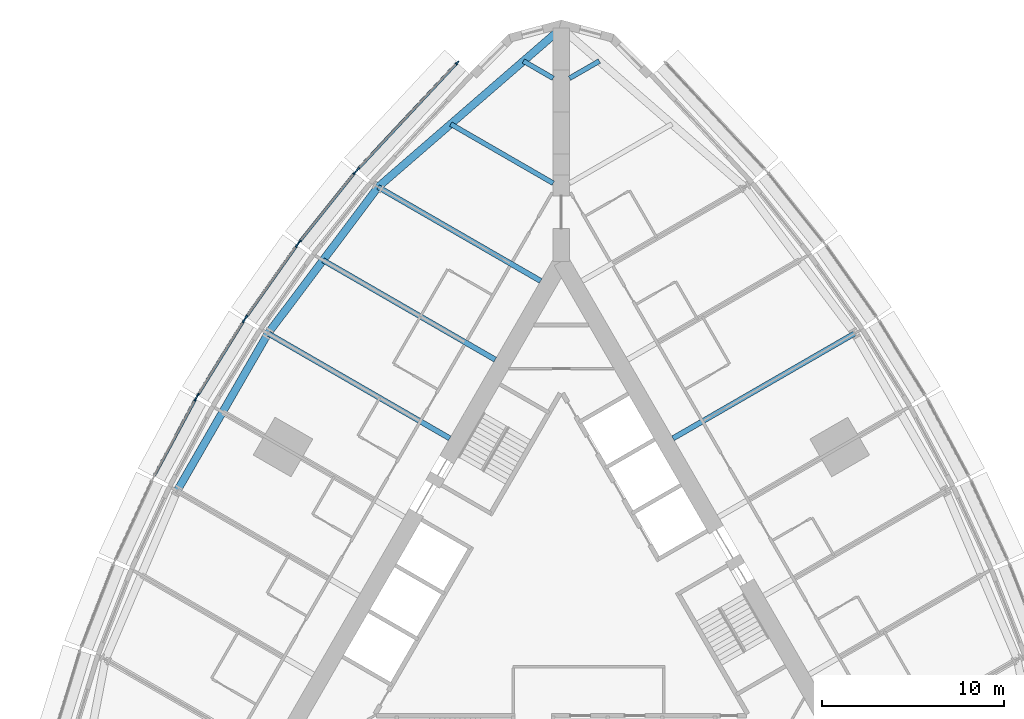
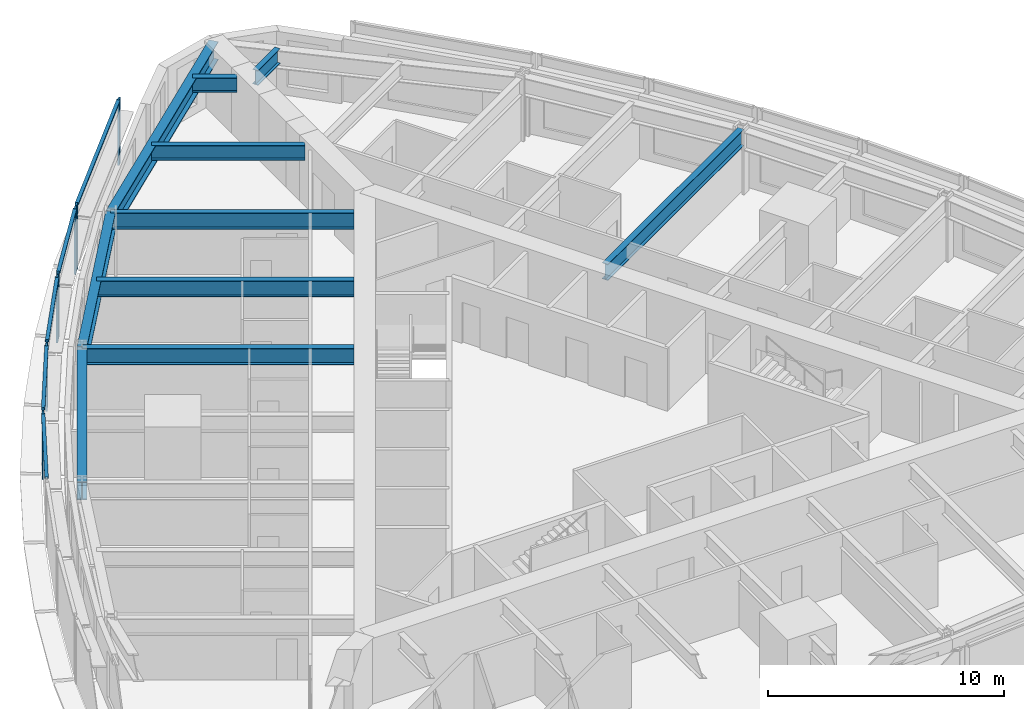
# One storey, part 4 of 14: 14 members, 10 beams, 5 elements without a shape of their own.
"""IFC4 building model written with IfcOpenShell, lengths in metres."""

from ifc_helpers import new_model, si_unit, direction, frame, origin, origin_2d, place, context, subcontext, project, spatial, rectangle, i_section, extrude, material, material_profile, profile_set, type_object, element, aggregate, save


model = new_model("IFC4")

# Units and contexts
model_context = context("Model", 3, precision=1e-05, world=origin(), true_north=direction((0.0, 1.0)))
body_context = subcontext(model_context, "Body", "Model", "MODEL_VIEW")
ifc_project = project(units=[si_unit("LENGTHUNIT", "METRE"), si_unit("AREAUNIT", "SQUARE_METRE"), si_unit("VOLUMEUNIT", "CUBIC_METRE"), si_unit("PLANEANGLEUNIT", "RADIAN"), si_unit("MASSUNIT", "GRAM", prefix="KILO")], contexts=[model_context])

# Site, building, storey
site_placement = place(None, origin())
site = spatial("IfcSite", under=ifc_project, at=site_placement, CompositionType="ELEMENT")
building_placement = place(site_placement, origin())
building = spatial("IfcBuilding", under=site, at=building_placement, Name="Trikona Tower", CompositionType="ELEMENT")
storey_placement = place(building_placement, frame((0.0, 0.0, 55.699951171875)))
storey = spatial("IfcBuildingStorey", under=building, at=storey_placement, Name="L13", CompositionType="ELEMENT", Elevation=55.699951171875)

# Curtain wall, members
ifc_material_1 = material(Name="Aluminium curtain wall system", Category="aluminium")
curtain_wall_type = type_object("IfcCurtainWallType", Name="Curtain wall DS1", PredefinedType="NOTDEFINED", material=ifc_material_1)
curtain_wall_1_placement = place(storey_placement, origin())
curtain_wall_1 = element("IfcCurtainWall", 1, at=curtain_wall_1_placement, inside=storey, type_object=curtain_wall_type, Name="Curtain wall DS1 L13", PredefinedType="NOTDEFINED")
ifc_material_2 = material(Name="Aluminium mullion, pale anodised", Category="aluminium")
ifc_material_profile_1 = material_profile(ifc_material_2, rectangle(XDim=0.080078125, YDim=0.219970703125, at=origin_2d()), Name="MUL-DS1")
ifc_profile_set_1 = profile_set([ifc_material_profile_1], Name="Aluminium mullion, pale anodised")
member_type_1 = type_object("IfcMemberType", Name="Mullion DS1 80x220", PredefinedType="MULLION", material=ifc_profile_set_1)
member_1_placement = place(storey_placement, frame((-5.72607421875, 29.98583984375, 0.0), z_axis=(0.0, 0.0, 1.0), x_axis=(0.731076639405, -0.682295351967, 0.0)))
member_1 = element("IfcMember", 2, at=member_1_placement, type_object=member_type_1, Name="CW-DS1 mullion 1", PredefinedType="MULLION", context=body_context, shape_type="SweptSolid", body=[
    extrude(rectangle(XDim=0.080078125, YDim=0.219970703125, at=origin_2d()), origin(), (0.0, 0.0, 1.0), 3.400146484375),
])
member_2_placement = place(storey_placement, frame((-11.192138671875, 24.129150390625, 0.0), z_axis=(0.0, 0.0, 1.0), x_axis=(0.731076639405, -0.682295351967, 0.0)))
member_2 = element("IfcMember", 3, at=member_2_placement, type_object=member_type_1, Name="CW-DS1 mullion 2", PredefinedType="MULLION", context=body_context, shape_type="SweptSolid", body=[
    extrude(rectangle(XDim=0.080078125, YDim=0.219970703125, at=origin_2d()), origin(), (0.0, 0.0, 1.0), 3.400146484375),
])

curtain_wall_2_placement = place(storey_placement, origin())
curtain_wall_2 = element("IfcCurtainWall", 4, at=curtain_wall_2_placement, inside=storey, type_object=curtain_wall_type, Name="Curtain wall DS1 L13", PredefinedType="NOTDEFINED")
member_3_placement = place(storey_placement, frame((-11.36767578125, 23.926025390625, 0.0), z_axis=(0.0, 0.0, 1.0), x_axis=(0.780937959679, -0.624608599951, 0.0)))
member_3 = element("IfcMember", 5, at=member_3_placement, type_object=member_type_1, Name="CW-DS1 mullion 1", PredefinedType="MULLION", context=body_context, shape_type="SweptSolid", body=[
    extrude(rectangle(XDim=0.080078125, YDim=0.219970703125, at=origin_2d()), origin(), (0.0, 0.0, 1.0), 3.400146484375),
])
member_4_placement = place(storey_placement, frame((-14.40185546875, 20.13232421875, 0.0), z_axis=(0.0, 0.0, 1.0), x_axis=(0.780937959679, -0.624608599951, 0.0)))
member_4 = element("IfcMember", 6, at=member_4_placement, type_object=member_type_1, Name="CW-DS1 mullion 2", PredefinedType="MULLION", context=body_context, shape_type="SweptSolid", body=[
    extrude(rectangle(XDim=0.080078125, YDim=0.219970703125, at=origin_2d()), origin(), (0.0, 0.0, 1.0), 3.400146484375),
])

curtain_wall_3_placement = place(storey_placement, origin())
curtain_wall_3 = element("IfcCurtainWall", 7, at=curtain_wall_3_placement, inside=storey, type_object=curtain_wall_type, Name="Curtain wall DS1 L13", PredefinedType="NOTDEFINED")
member_5_placement = place(storey_placement, frame((-14.554443359375, 19.929443359375, 0.0), z_axis=(0.0, 0.0, 1.0), x_axis=(0.816985393055, -0.576658362928, 0.0)))
member_5 = element("IfcMember", 8, at=member_5_placement, type_object=member_type_1, Name="CW-DS1 mullion 1", PredefinedType="MULLION", context=body_context, shape_type="SweptSolid", body=[
    extrude(rectangle(XDim=0.080078125, YDim=0.219970703125, at=origin_2d()), origin(), (0.0, 0.0, 1.0), 3.400146484375),
])
member_6_placement = place(storey_placement, frame((-17.33447265625, 15.990966796875, 0.0), z_axis=(0.0, 0.0, 1.0), x_axis=(0.816985393055, -0.576658362928, 0.0)))
member_6 = element("IfcMember", 9, at=member_6_placement, type_object=member_type_1, Name="CW-DS1 mullion 2", PredefinedType="MULLION", context=body_context, shape_type="SweptSolid", body=[
    extrude(rectangle(XDim=0.080078125, YDim=0.219970703125, at=origin_2d()), origin(), (0.0, 0.0, 1.0), 3.400146484375),
])

curtain_wall_4_placement = place(storey_placement, origin())
curtain_wall_4 = element("IfcCurtainWall", 10, at=curtain_wall_4_placement, inside=storey, type_object=curtain_wall_type, Name="Curtain wall DS1 L13", PredefinedType="NOTDEFINED")
member_7_placement = place(storey_placement, frame((-17.474853515625, 15.77880859375, 0.0), z_axis=(0.0, 0.0, 1.0), x_axis=(0.850410468941, -0.526119790842, 0.0)))
member_7 = element("IfcMember", 11, at=member_7_placement, type_object=member_type_1, Name="CW-DS1 mullion 1", PredefinedType="MULLION", context=body_context, shape_type="SweptSolid", body=[
    extrude(rectangle(XDim=0.080078125, YDim=0.219970703125, at=origin_2d()), origin(), (0.0, 0.0, 1.0), 3.400146484375),
])
member_8_placement = place(storey_placement, frame((-20.00146484375, 11.69482421875, 0.0), z_axis=(0.0, 0.0, 1.0), x_axis=(0.850410468941, -0.526119790842, 0.0)))
member_8 = element("IfcMember", 12, at=member_8_placement, type_object=member_type_1, Name="CW-DS1 mullion 2", PredefinedType="MULLION", context=body_context, shape_type="SweptSolid", body=[
    extrude(rectangle(XDim=0.080078125, YDim=0.219970703125, at=origin_2d()), origin(), (0.0, 0.0, 1.0), 3.400146484375),
])

# Curtain wall, member
curtain_wall_5_placement = place(storey_placement, origin())
curtain_wall_5 = element("IfcCurtainWall", 13, at=curtain_wall_5_placement, inside=storey, type_object=curtain_wall_type, Name="Curtain wall DS1 L13", PredefinedType="NOTDEFINED")
member_9_placement = place(storey_placement, frame((-20.128662109375, 11.474365234375, 0.0), z_axis=(0.0, 0.0, 1.0), x_axis=(0.880843080975, -0.473408350896, 0.0)))
member_9 = element("IfcMember", 14, at=member_9_placement, type_object=member_type_1, Name="CW-DS1 mullion 1", PredefinedType="MULLION", context=body_context, shape_type="SweptSolid", body=[
    extrude(rectangle(XDim=0.080078125, YDim=0.219970703125, at=origin_2d()), origin(), (0.0, 0.0, 1.0), 3.400146484375),
])

# Beams
ifc_material_3 = material(Name="Steel ASTM A992 Grade 50", Category="steel")
ifc_material_profile_2 = material_profile(ifc_material_3, i_section(OverallWidth=0.2666015625, OverallDepth=0.76953125, WebThickness=0.015625, FlangeThickness=0.025390625, at=origin_2d()), Name="W30X132")
ifc_profile_set_2 = profile_set([ifc_material_profile_2], Name="Steel ASTM A992 Grade 50")
beam_type_1 = type_object("IfcBeamType", Name="Steel beam W30x132 (wedge)", PredefinedType="BEAM", material=ifc_profile_set_2)
for number, where, z_axis, x_axis, name in (
    (15, (0.449951171875, 29.127197265625, 2.850341796875), (0.866009237431, 0.5000279999, 0.0), (-0.5000279999, 0.866009237431, 0.0), "Floor beam L14 F2 u25"),
    (16, (-0.449951171875, 29.127197265625, 2.850341796875), (-0.866009237431, 0.5000279999, 0.0), (-0.5000279999, -0.866009237431, 0.0), "Floor beam L14 F3 u-25"),
):
    element("IfcBeam", number, at=place(storey_placement, frame(where, z_axis=z_axis, x_axis=x_axis)), inside=storey, type_object=beam_type_1, Name=name, PredefinedType="BEAM", context=body_context, shape_type="SweptSolid", body=[
        extrude(i_section(OverallWidth=0.2666015625, OverallDepth=0.76953125, WebThickness=0.015625, FlangeThickness=0.025390625, at=origin_2d()), origin(), (0.0, 0.0, 1.0), 1.890625),
    ])
beam_1_placement = place(storey_placement, frame((-0.449951171875, 23.353759765625, 2.850341796875), z_axis=(-0.866022504693, 0.50000502134, 0.0), x_axis=(-0.50000502134, -0.866022504693, 0.0)))
element("IfcBeam", 17, at=beam_1_placement, inside=storey, type_object=beam_type_1, Name="Floor beam L14 F3 u-20", PredefinedType="BEAM", context=body_context, shape_type="SweptSolid", body=[
    extrude(i_section(OverallWidth=0.2666015625, OverallDepth=0.76953125, WebThickness=0.015625, FlangeThickness=0.025390625, at=origin_2d()), origin(), (0.0, 0.0, 1.0), 6.5068359375),
])
ifc_material_4 = material(Name="Steel ASTM A992 Grade 50", Category="steel")
ifc_material_profile_3 = material_profile(ifc_material_4, i_section(OverallWidth=0.2919921875, OverallDepth=0.845703125, WebThickness=0.015380859375, FlangeThickness=0.0244140625, at=origin_2d()), Name="W33X141")
ifc_profile_set_3 = profile_set([ifc_material_profile_3], Name="Steel ASTM A992 Grade 50")
beam_type_2 = type_object("IfcBeamType", Name="Steel beam W33x141 (radial typ)", PredefinedType="BEAM", material=ifc_profile_set_3)
beam_2_placement = place(storey_placement, frame((6.1396484375, 9.318359375, 2.812255859375), z_axis=(0.866029923217, 0.499992172032, 0.0), x_axis=(-0.499992172032, 0.866029923217, 0.0)))
element("IfcBeam", 18, at=beam_2_placement, inside=storey, type_object=beam_type_2, Name="Floor beam L14 F2 u5", PredefinedType="BEAM", context=body_context, shape_type="SweptSolid", body=[
    extrude(i_section(OverallWidth=0.2919921875, OverallDepth=0.845703125, WebThickness=0.015380859375, FlangeThickness=0.0244140625, at=origin_2d()), origin(), (0.0, 0.0, 1.0), 11.544189453125),
])
beam_3_placement = place(storey_placement, frame((-1.1396484375, 17.978515625, 2.812255859375), z_axis=(-0.866030471684, 0.499991222037, 0.0), x_axis=(-0.499991222037, -0.866030471684, 0.0)))
element("IfcBeam", 19, at=beam_3_placement, inside=storey, type_object=beam_type_2, Name="Floor beam L14 F3 u-15", PredefinedType="BEAM", context=body_context, shape_type="SweptSolid", body=[
    extrude(i_section(OverallWidth=0.2919921875, OverallDepth=0.845703125, WebThickness=0.015380859375, FlangeThickness=0.0244140625, at=origin_2d()), origin(), (0.0, 0.0, 1.0), 10.326904296875),
])
beam_4_placement = place(storey_placement, frame((-3.6396484375, 13.6484375, 2.812255859375), z_axis=(-0.866025348605, 0.500000095573, 0.0), x_axis=(-0.500000095573, -0.866025348605, 0.0)))
element("IfcBeam", 20, at=beam_4_placement, inside=storey, type_object=beam_type_2, Name="Floor beam L14 F3 u-10", PredefinedType="BEAM", context=body_context, shape_type="SweptSolid", body=[
    extrude(i_section(OverallWidth=0.2919921875, OverallDepth=0.845703125, WebThickness=0.015380859375, FlangeThickness=0.0244140625, at=origin_2d()), origin(), (0.0, 0.0, 1.0), 10.935546875),
])
beam_5_placement = place(storey_placement, frame((-6.1396484375, 9.318359375, 2.812255859375), z_axis=(-0.866029923217, 0.499992172032, 0.0), x_axis=(-0.499992172032, -0.866029923217, 0.0)))
element("IfcBeam", 21, at=beam_5_placement, inside=storey, type_object=beam_type_2, Name="Floor beam L14 F3 u-5", PredefinedType="BEAM", context=body_context, shape_type="SweptSolid", body=[
    extrude(i_section(OverallWidth=0.2919921875, OverallDepth=0.845703125, WebThickness=0.015380859375, FlangeThickness=0.0244140625, at=origin_2d()), origin(), (0.0, 0.0, 1.0), 11.544189453125),
])
ifc_material_5 = material(Name="Steel ASTM A992 Grade 50", Category="steel")
ifc_material_profile_4 = material_profile(ifc_material_5, i_section(OverallWidth=0.424072265625, OverallDepth=0.947509765625, WebThickness=0.02392578125, FlangeThickness=0.042724609375, at=origin_2d()), Name="W36X302")
ifc_profile_set_4 = profile_set([ifc_material_profile_4], Name="Steel ASTM A992 Grade 50")
beam_type_3 = type_object("IfcBeamType", Name="Steel beam W36x302 (spandrel)", PredefinedType="SPANDREL", material=ifc_profile_set_4)
beam_6_placement = place(storey_placement, frame((0.0, 31.881591796875, 2.76123046875), z_axis=(-0.755646822726, -0.654979296851, 0.0), x_axis=(0.654979296851, -0.755646822726, 0.0)))
element("IfcBeam", 22, at=beam_6_placement, inside=storey, type_object=beam_type_3, Name="Spandrel beam L14 F3-1", PredefinedType="SPANDREL", context=body_context, shape_type="SweptSolid", body=[
    extrude(i_section(OverallWidth=0.424072265625, OverallDepth=0.947509765625, WebThickness=0.02392578125, FlangeThickness=0.042724609375, at=origin_2d()), origin(), (0.0, 0.0, 1.0), 13.343505859375),
])
beam_7_placement = place(storey_placement, frame((-10.0830078125, 23.141845703125, 2.76123046875), z_axis=(-0.600988344191, -0.799257787042, 0.0), x_axis=(0.799257787042, -0.600988344191, 0.0)))
element("IfcBeam", 23, at=beam_7_placement, inside=storey, type_object=beam_type_3, Name="Spandrel beam L14 F3-2", PredefinedType="SPANDREL", context=body_context, shape_type="SweptSolid", body=[
    extrude(i_section(OverallWidth=0.424072265625, OverallDepth=0.947509765625, WebThickness=0.02392578125, FlangeThickness=0.042724609375, at=origin_2d()), origin(), (0.0, 0.0, 1.0), 10.07373046875),
])
beam_8_placement = place(storey_placement, frame((-16.13720703125, 15.09033203125, 2.76123046875), z_axis=(-0.500004234368, -0.866022959057, 0.0), x_axis=(0.866022959057, -0.500004234368, 0.0)))
element("IfcBeam", 24, at=beam_8_placement, inside=storey, type_object=beam_type_3, Name="Spandrel beam L14 F3-3", PredefinedType="SPANDREL", context=body_context, shape_type="SweptSolid", body=[
    extrude(i_section(OverallWidth=0.424072265625, OverallDepth=0.947509765625, WebThickness=0.02392578125, FlangeThickness=0.042724609375, at=origin_2d()), origin(), (0.0, 0.0, 1.0), 10.0),
])

# Member
ifc_material_6 = material(Name="Aluminium transom, pale anodised", Category="aluminium")
ifc_material_profile_5 = material_profile(ifc_material_6, rectangle(XDim=0.159912109375, YDim=0.080078125, at=origin_2d()), Name="TRN-DS1")
ifc_profile_set_5 = profile_set([ifc_material_profile_5], Name="Aluminium transom, pale anodised")
member_type_2 = type_object("IfcMemberType", Name="Transom DS1 80x160", PredefinedType="USERDEFINED", material=ifc_profile_set_5)
member_10_placement = place(storey_placement, frame((-5.75341796875, 29.95654296875, 3.360107421875), z_axis=(-0.682290830921, -0.731080858758, 0.0), x_axis=(0.731080858758, -0.682290830921, 0.0)))
member_10 = element("IfcMember", 25, at=member_10_placement, type_object=member_type_2, Name="CW-DS1 transom 1.1", ObjectType="TRANSOM", PredefinedType="USERDEFINED", context=body_context, shape_type="SweptSolid", body=[
    extrude(rectangle(XDim=0.159912109375, YDim=0.080078125, at=origin_2d()), origin(), (0.0, 0.0, 1.0), 7.93115234375),
])

aggregate(curtain_wall_1, [member_1, member_2, member_10])

member_11_placement = place(storey_placement, frame((-11.392822265625, 23.894775390625, 3.360107421875), z_axis=(-0.624589103832, -0.780953552636, 0.0), x_axis=(0.780953552636, -0.624589103832, 0.0)))
member_11 = element("IfcMember", 26, at=member_11_placement, type_object=member_type_2, Name="CW-DS1 transom 1.1", ObjectType="TRANSOM", PredefinedType="USERDEFINED", context=body_context, shape_type="SweptSolid", body=[
    extrude(rectangle(XDim=0.159912109375, YDim=0.080078125, at=origin_2d()), origin(), (0.0, 0.0, 1.0), 4.77783203125),
])

aggregate(curtain_wall_2, [member_3, member_4, member_11])

member_12_placement = place(storey_placement, frame((-14.57763671875, 19.896728515625, 3.360107421875), z_axis=(-0.57664478015, -0.816994980111, 0.0), x_axis=(0.816994980111, -0.57664478015, 0.0)))
member_12 = element("IfcMember", 27, at=member_12_placement, type_object=member_type_2, Name="CW-DS1 transom 1.1", ObjectType="TRANSOM", PredefinedType="USERDEFINED", context=body_context, shape_type="SweptSolid", body=[
    extrude(rectangle(XDim=0.159912109375, YDim=0.080078125, at=origin_2d()), origin(), (0.0, 0.0, 1.0), 4.740478515625),
])

aggregate(curtain_wall_3, [member_5, member_6, member_12])

member_13_placement = place(storey_placement, frame((-17.495849609375, 15.744873046875, 3.360107421875), z_axis=(-0.526080502257, -0.850434774186, 0.0), x_axis=(0.850434774186, -0.526080502257, 0.0)))
member_13 = element("IfcMember", 28, at=member_13_placement, type_object=member_type_2, Name="CW-DS1 transom 1.1", ObjectType="TRANSOM", PredefinedType="USERDEFINED", context=body_context, shape_type="SweptSolid", body=[
    extrude(rectangle(XDim=0.159912109375, YDim=0.080078125, at=origin_2d()), origin(), (0.0, 0.0, 1.0), 4.722412109375),
])

aggregate(curtain_wall_4, [member_7, member_8, member_13])

member_14_placement = place(storey_placement, frame((-20.147705078125, 11.43896484375, 3.360107421875), z_axis=(-0.473427569755, -0.880832751546, 0.0), x_axis=(0.880832751546, -0.473427569755, 0.0)))
member_14 = element("IfcMember", 29, at=member_14_placement, type_object=member_type_2, Name="CW-DS1 transom 1.1", ObjectType="TRANSOM", PredefinedType="USERDEFINED", context=body_context, shape_type="SweptSolid", body=[
    extrude(rectangle(XDim=0.159912109375, YDim=0.080078125, at=origin_2d()), origin(), (0.0, 0.0, 1.0), 4.72216796875),
])

aggregate(curtain_wall_5, [member_9, member_14])

save(model, "model.ifc")
